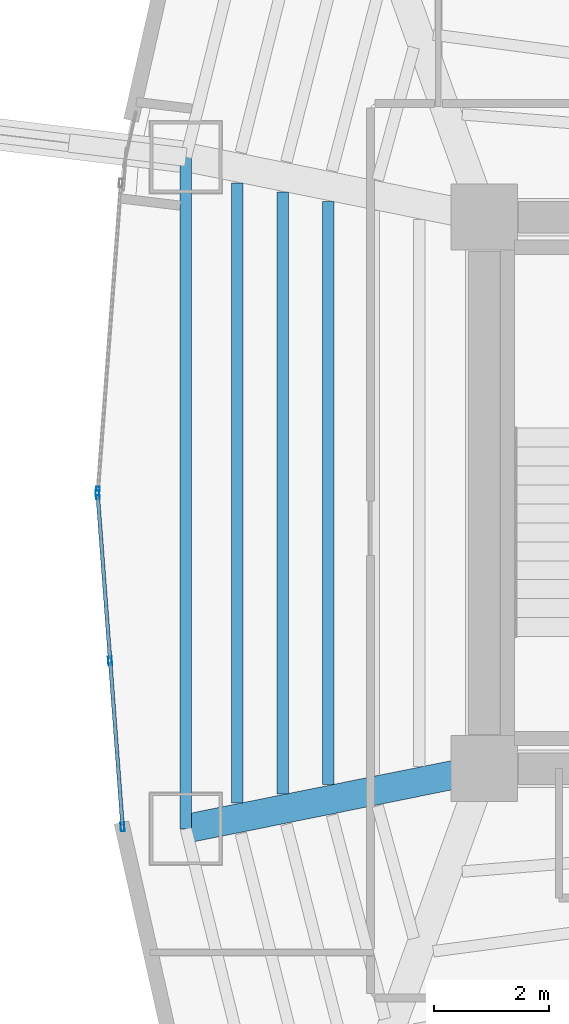
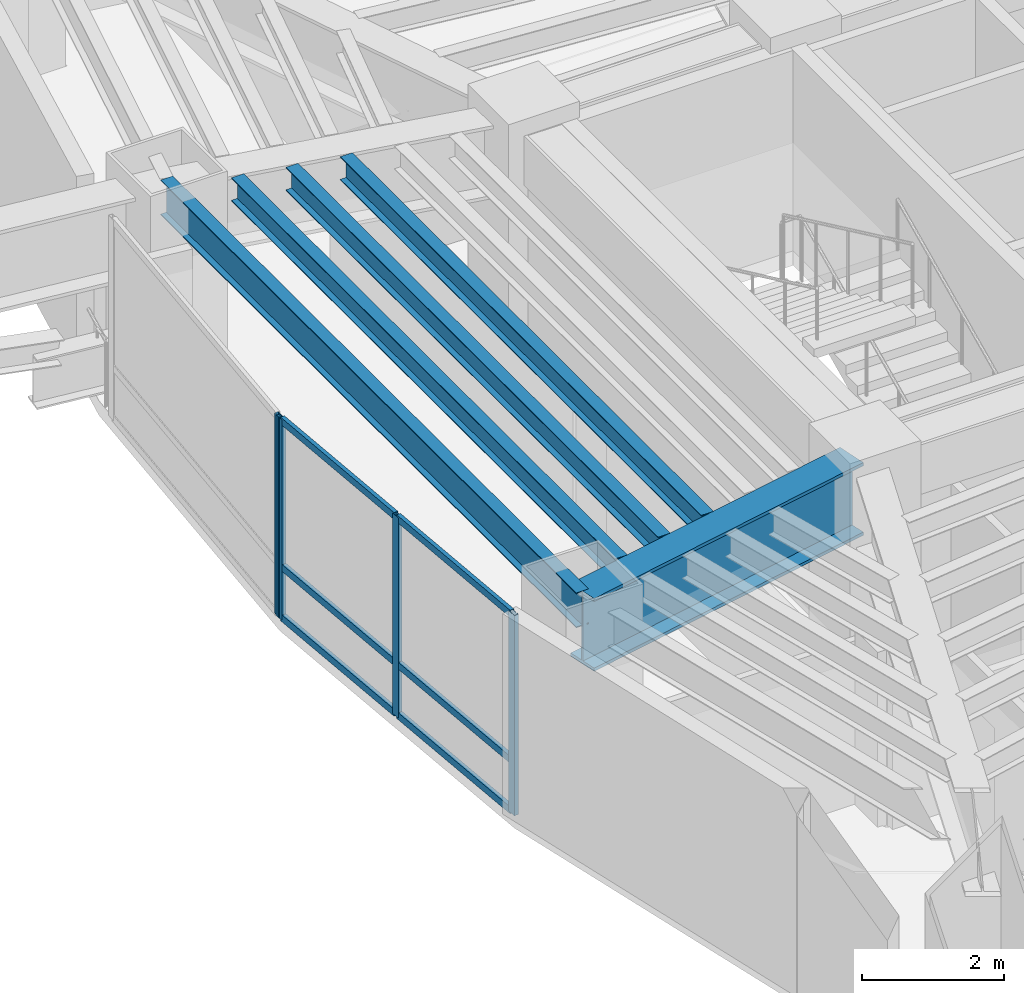
# One storey, part 2 of 17: 10 members, 5 beams, 2 elements without a shape of their own.
"""IFC4 building model written with IfcOpenShell, lengths in metres."""

from ifc_helpers import new_model, si_unit, direction, frame, origin, origin_2d, place, context, subcontext, project, spatial, hollow_rectangle, i_section, extrude, material, layer, layer_set, material_profile, profile_set, type_object, element, aggregate, save


model = new_model("IFC4")

# Units and contexts
model_context = context("Model", 3, precision=1e-05, world=origin(), true_north=direction((0.0, 1.0)))
body_context = subcontext(model_context, "Body", "Model", "MODEL_VIEW")
ifc_project = project(units=[si_unit("LENGTHUNIT", "METRE"), si_unit("AREAUNIT", "SQUARE_METRE"), si_unit("VOLUMEUNIT", "CUBIC_METRE"), si_unit("PLANEANGLEUNIT", "RADIAN"), si_unit("MASSUNIT", "GRAM", prefix="KILO")], contexts=[model_context])

# Site, building, storey
site_placement = place(None, origin())
site = spatial("IfcSite", under=ifc_project, at=site_placement, CompositionType="ELEMENT")
building_placement = place(site_placement, origin())
building = spatial("IfcBuilding", under=site, at=building_placement, Name="Menara Vayukalpa", CompositionType="ELEMENT")
storey_placement = place(building_placement, frame((0.0, 0.0, 100.260009765625)))
storey = spatial("IfcBuildingStorey", under=building, at=storey_placement, Name="L24", CompositionType="ELEMENT", Elevation=100.260009765625)

# Beams
ifc_material_1 = material(Name="Steel S355", Category="steel")
ifc_material_profile_1 = material_profile(ifc_material_1, i_section(OverallWidth=0.199951171875, OverallDepth=0.39990234375, WebThickness=0.008056640625, FlangeThickness=0.012939453125, at=origin_2d()), Name="WF 400x200x8x13")
ifc_profile_set_1 = profile_set([ifc_material_profile_1], Name="Steel S355")
beam_type_1 = type_object("IfcBeamType", Name="BM-SJ2", PredefinedType="JOIST", material=ifc_profile_set_1)
beam_1_placement = place(storey_placement, frame((15.080810546875, 27.077392578125, 3.239990234375), z_axis=(0.0, -1.0, 0.0), x_axis=(1.0, 0.0, 0.0)))
element("IfcBeam", 1, at=beam_1_placement, inside=storey, type_object=beam_type_1, Name="L24 Secondary Floor Joist SJ05-3", PredefinedType="JOIST", context=body_context, shape_type="SweptSolid", body=[
    extrude(i_section(OverallWidth=0.199951171875, OverallDepth=0.39990234375, WebThickness=0.008056640625, FlangeThickness=0.012939453125, at=origin_2d()), origin(), (0.0, 0.0, 1.0), 10.15478515625),
])
beam_2_placement = place(storey_placement, frame((14.2890625, 27.23681640625, 3.239990234375), z_axis=(0.0, -1.0, 0.0), x_axis=(1.0, 0.0, 0.0)))
element("IfcBeam", 2, at=beam_2_placement, inside=storey, type_object=beam_type_1, Name="L24 Secondary Floor Joist SJ05-4", PredefinedType="JOIST", context=body_context, shape_type="SweptSolid", body=[
    extrude(i_section(OverallWidth=0.199951171875, OverallDepth=0.39990234375, WebThickness=0.008056640625, FlangeThickness=0.012939453125, at=origin_2d()), origin(), (0.0, 0.0, 1.0), 10.4736328125),
])
beam_3_placement = place(storey_placement, frame((13.497314453125, 27.396240234375, 3.239990234375), z_axis=(0.0, -1.0, 0.0), x_axis=(1.0, 0.0, 0.0)))
element("IfcBeam", 3, at=beam_3_placement, inside=storey, type_object=beam_type_1, Name="L24 Secondary Floor Joist SJ05-5", PredefinedType="JOIST", context=body_context, shape_type="SweptSolid", body=[
    extrude(i_section(OverallWidth=0.199951171875, OverallDepth=0.39990234375, WebThickness=0.008056640625, FlangeThickness=0.012939453125, at=origin_2d()), origin(), (0.0, 0.0, 1.0), 10.79248046875),
])
ifc_material_2 = material(Name="Steel S355", Category="steel")
ifc_material_profile_2 = material_profile(ifc_material_2, i_section(OverallWidth=0.199951171875, OverallDepth=0.60009765625, WebThickness=0.010986328125, FlangeThickness=0.01708984375, at=origin_2d()), Name="WF 600x200x11x17")
ifc_profile_set_2 = profile_set([ifc_material_profile_2], Name="Steel S355")
beam_type_2 = type_object("IfcBeamType", Name="BM-SP1", PredefinedType="SPANDREL", material=ifc_profile_set_2)
beam_4_placement = place(storey_placement, frame((12.606689453125, 27.845703125, 3.139892578125), z_axis=(0.0, -1.0, 0.0), x_axis=(1.0, 0.0, 0.0)))
element("IfcBeam", 4, at=beam_4_placement, inside=storey, type_object=beam_type_2, Name="L24 Perimeter Spandrel Beam SP05", PredefinedType="SPANDREL", context=body_context, shape_type="SweptSolid", body=[
    extrude(i_section(OverallWidth=0.199951171875, OverallDepth=0.60009765625, WebThickness=0.010986328125, FlangeThickness=0.01708984375, at=origin_2d()), origin(), (0.0, 0.0, 1.0), 11.69140625),
])
ifc_material_3 = material(Name="Steel S460", Category="steel")
ifc_material_profile_3 = material_profile(ifc_material_3, i_section(OverallWidth=0.5, OverallDepth=1.25, WebThickness=0.028076171875, FlangeThickness=0.054931640625, at=origin_2d()), Name="WG 1250x500x28x55")
ifc_profile_set_3 = profile_set([ifc_material_profile_3], Name="Steel S460")
beam_type_3 = type_object("IfcBeamType", Name="BM-TG2", PredefinedType="BEAM", material=ifc_profile_set_3)
beam_5_placement = place(storey_placement, frame((17.554931640625, 17.150634765625, 2.81494140625), z_axis=(-0.980324984906, -0.197390283373, 0.0), x_axis=(0.197390283373, -0.980324984906, 0.0)))
element("IfcBeam", 5, at=beam_5_placement, inside=storey, type_object=beam_type_3, Name="L24 Primary Radial Girder RG06", PredefinedType="BEAM", context=body_context, shape_type="SweptSolid", body=[
    extrude(i_section(OverallWidth=0.5, OverallDepth=1.25, WebThickness=0.028076171875, FlangeThickness=0.054931640625, at=origin_2d()), origin(), (0.0, 0.0, 1.0), 5.047607421875),
])

# Curtain wall, member
ifc_material_4 = material(Name="Anodised Terracotta Aluminium Alloy 6063-T6", Category="masonry")
ifc_layer = layer(ifc_material_4, 0.14990234375)
ifc_layer_set = layer_set([ifc_layer], Name="Anodised Terracotta Aluminium Alloy 6063-T6")
curtain_wall_type = type_object("IfcCurtainWallType", Name="CW-CW3", PredefinedType="USERDEFINED", material=ifc_layer_set)
curtain_wall_1_placement = place(storey_placement, origin())
curtain_wall_1 = element("IfcCurtainWall", 6, at=curtain_wall_1_placement, inside=storey, type_object=curtain_wall_type, Name="L24 Mid Rise Terracotta Ribbon Curtain Wall CW3 10", ObjectType="UNITISED", PredefinedType="USERDEFINED")
ifc_material_5 = material(Name="Anodised Terracotta Aluminium Alloy 6063-T6", Category="masonry")
ifc_material_profile_4 = material_profile(ifc_material_5, hollow_rectangle(XDim=0.06494140625, YDim=0.14990234375, WallThickness=0.00341796875, at=origin_2d()), Name="ALU 65x150x3.5")
ifc_profile_set_4 = profile_set([ifc_material_profile_4], Name="Anodised Terracotta Aluminium Alloy 6063-T6")
member_type_1 = type_object("IfcMemberType", Name="CWM-CW3", PredefinedType="MULLION", material=ifc_profile_set_4)
member_1_placement = place(storey_placement, frame((11.070556640625, 22.032470703125, 0.0), z_axis=(0.0, 0.0, 1.0), x_axis=(0.997199926807, -0.074781722204, 0.0)))
member_1 = element("IfcMember", 7, at=member_1_placement, type_object=member_type_1, Name="CW3 mullion 2", PredefinedType="MULLION", context=body_context, shape_type="SweptSolid", body=[
    extrude(hollow_rectangle(XDim=0.06494140625, YDim=0.14990234375, WallThickness=0.00341796875, at=origin_2d()), origin(), (0.0, 0.0, 1.0), 3.43994140625),
])
aggregate(curtain_wall_1, [member_1])

# Curtain wall, members
curtain_wall_2_placement = place(storey_placement, origin())
curtain_wall_2 = element("IfcCurtainWall", 8, at=curtain_wall_2_placement, inside=storey, type_object=curtain_wall_type, Name="L24 Mid Rise Terracotta Ribbon Curtain Wall CW3 11", ObjectType="UNITISED", PredefinedType="USERDEFINED")
member_2_placement = place(storey_placement, frame((11.070556640625, 21.967529296875, 0.0), z_axis=(0.0, 0.0, 1.0), x_axis=(0.997199659745, 0.07478528334, 0.0)))
member_2 = element("IfcMember", 9, at=member_2_placement, type_object=member_type_1, Name="CW3 mullion 1", PredefinedType="MULLION", context=body_context, shape_type="SweptSolid", body=[
    extrude(hollow_rectangle(XDim=0.06494140625, YDim=0.14990234375, WallThickness=0.00341796875, at=origin_2d()), origin(), (0.0, 0.0, 1.0), 3.43994140625),
])
member_3_placement = place(storey_placement, frame((11.287353515625, 19.0771484375, 0.0), z_axis=(0.0, 0.0, 1.0), x_axis=(0.997199659745, 0.07478528334, 0.0)))
member_3 = element("IfcMember", 10, at=member_3_placement, type_object=member_type_1, Name="CW3 mullion 2", PredefinedType="MULLION", context=body_context, shape_type="SweptSolid", body=[
    extrude(hollow_rectangle(XDim=0.06494140625, YDim=0.14990234375, WallThickness=0.00341796875, at=origin_2d()), origin(), (0.0, 0.0, 1.0), 3.43994140625),
])
member_4_placement = place(storey_placement, frame((11.504150390625, 16.186767578125, 0.0), z_axis=(0.0, 0.0, 1.0), x_axis=(0.997199659745, 0.07478528334, 0.0)))
member_4 = element("IfcMember", 11, at=member_4_placement, type_object=member_type_1, Name="CW3 mullion 3", PredefinedType="MULLION", context=body_context, shape_type="SweptSolid", body=[
    extrude(hollow_rectangle(XDim=0.06494140625, YDim=0.14990234375, WallThickness=0.00341796875, at=origin_2d()), origin(), (0.0, 0.0, 1.0), 3.43994140625),
])
ifc_material_6 = material(Name="Anodised Terracotta Aluminium Alloy 6063-T6", Category="masonry")
ifc_material_profile_5 = material_profile(ifc_material_6, hollow_rectangle(XDim=0.06494140625, YDim=0.1201171875, WallThickness=0.00341796875, at=origin_2d()), Name="ALU 65x120x3.5")
ifc_profile_set_5 = profile_set([ifc_material_profile_5], Name="Anodised Terracotta Aluminium Alloy 6063-T6")
member_type_2 = type_object("IfcMemberType", Name="CWT-CW3", PredefinedType="USERDEFINED", material=ifc_profile_set_5)
member_5_placement = place(storey_placement, frame((11.072998046875, 21.935302734375, 0.032470703125), z_axis=(0.074785664408, -0.997199631167, 0.0), x_axis=(0.997199631167, 0.074785664408, 0.0)))
member_5 = element("IfcMember", 12, at=member_5_placement, type_object=member_type_2, Name="CW3 transom 1.1", ObjectType="TRANSOM", PredefinedType="USERDEFINED", context=body_context, shape_type="SweptSolid", body=[
    extrude(hollow_rectangle(XDim=0.06494140625, YDim=0.1201171875, WallThickness=0.00341796875, at=origin_2d()), origin(), (0.0, 0.0, 1.0), 2.833740234375),
])
member_6_placement = place(storey_placement, frame((11.072998046875, 21.935302734375, 0.89990234375), z_axis=(0.074785664408, -0.997199631167, 0.0), x_axis=(0.997199631167, 0.074785664408, 0.0)))
member_6 = element("IfcMember", 13, at=member_6_placement, type_object=member_type_2, Name="CW3 transom 1.2", ObjectType="TRANSOM", PredefinedType="USERDEFINED", context=body_context, shape_type="SweptSolid", body=[
    extrude(hollow_rectangle(XDim=0.06494140625, YDim=0.1201171875, WallThickness=0.00341796875, at=origin_2d()), origin(), (0.0, 0.0, 1.0), 2.833740234375),
])
member_7_placement = place(storey_placement, frame((11.072998046875, 21.935302734375, 3.407470703125), z_axis=(0.074785664408, -0.997199631167, 0.0), x_axis=(0.997199631167, 0.074785664408, 0.0)))
member_7 = element("IfcMember", 14, at=member_7_placement, type_object=member_type_2, Name="CW3 transom 1.3", ObjectType="TRANSOM", PredefinedType="USERDEFINED", context=body_context, shape_type="SweptSolid", body=[
    extrude(hollow_rectangle(XDim=0.06494140625, YDim=0.1201171875, WallThickness=0.00341796875, at=origin_2d()), origin(), (0.0, 0.0, 1.0), 2.833740234375),
])
member_8_placement = place(storey_placement, frame((11.289794921875, 19.044677734375, 0.032470703125), z_axis=(0.074792090342, -0.997199149229, 0.0), x_axis=(0.997199149229, 0.074792090342, 0.0)))
member_8 = element("IfcMember", 15, at=member_8_placement, type_object=member_type_2, Name="CW3 transom 2.1", ObjectType="TRANSOM", PredefinedType="USERDEFINED", context=body_context, shape_type="SweptSolid", body=[
    extrude(hollow_rectangle(XDim=0.06494140625, YDim=0.1201171875, WallThickness=0.00341796875, at=origin_2d()), origin(), (0.0, 0.0, 1.0), 2.83349609375),
])
member_9_placement = place(storey_placement, frame((11.289794921875, 19.044677734375, 0.89990234375), z_axis=(0.074792090342, -0.997199149229, 0.0), x_axis=(0.997199149229, 0.074792090342, 0.0)))
member_9 = element("IfcMember", 16, at=member_9_placement, type_object=member_type_2, Name="CW3 transom 2.2", ObjectType="TRANSOM", PredefinedType="USERDEFINED", context=body_context, shape_type="SweptSolid", body=[
    extrude(hollow_rectangle(XDim=0.06494140625, YDim=0.1201171875, WallThickness=0.00341796875, at=origin_2d()), origin(), (0.0, 0.0, 1.0), 2.83349609375),
])
member_10_placement = place(storey_placement, frame((11.289794921875, 19.044677734375, 3.407470703125), z_axis=(0.074792090342, -0.997199149229, 0.0), x_axis=(0.997199149229, 0.074792090342, 0.0)))
member_10 = element("IfcMember", 17, at=member_10_placement, type_object=member_type_2, Name="CW3 transom 2.3", ObjectType="TRANSOM", PredefinedType="USERDEFINED", context=body_context, shape_type="SweptSolid", body=[
    extrude(hollow_rectangle(XDim=0.06494140625, YDim=0.1201171875, WallThickness=0.00341796875, at=origin_2d()), origin(), (0.0, 0.0, 1.0), 2.83349609375),
])
aggregate(curtain_wall_2, [member_2, member_3, member_4, member_5, member_6, member_7, member_8, member_9, member_10])

save(model, "model.ifc")
